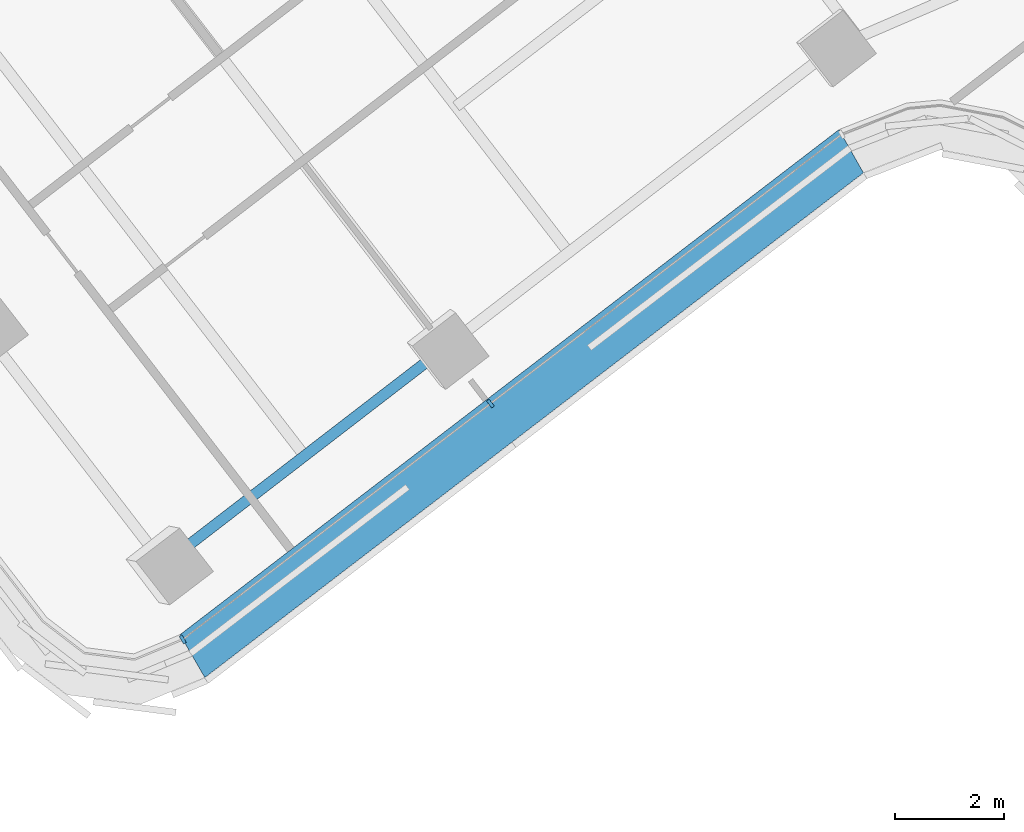
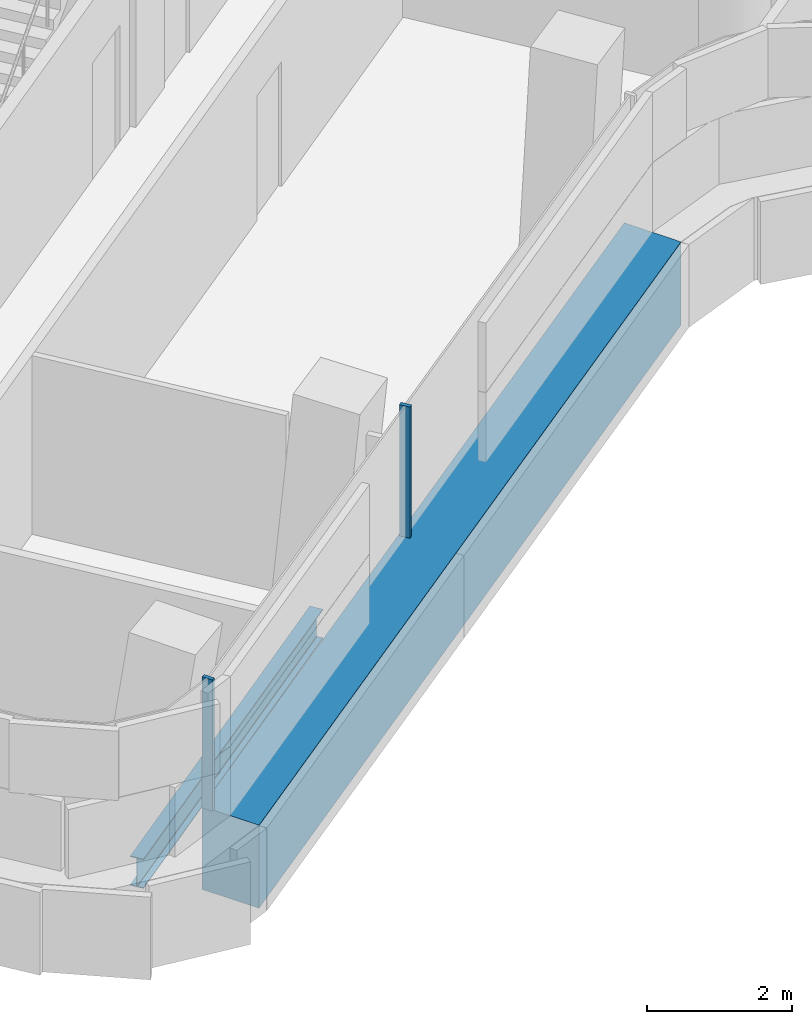
# One storey, part 2 of 33: 3 members, 1 beam, 1 element without a shape of its own.
"""IFC4 building model written with IfcOpenShell, lengths in metres."""

from ifc_helpers import new_model, si_unit, direction, frame, origin, origin_2d, place, context, subcontext, project, spatial, polyline, rectangle, i_section, outline, extrude, material, layer, layer_set, material_profile, profile_set, type_object, element, aggregate, save


model = new_model("IFC4")

# Units and contexts
model_context = context("Model", 3, precision=1e-05, world=origin(), true_north=direction((0.0, 1.0)))
body_context = subcontext(model_context, "Body", "Model", "MODEL_VIEW")
ifc_project = project(units=[si_unit("LENGTHUNIT", "METRE"), si_unit("AREAUNIT", "SQUARE_METRE"), si_unit("VOLUMEUNIT", "CUBIC_METRE"), si_unit("PLANEANGLEUNIT", "RADIAN"), si_unit("MASSUNIT", "GRAM", prefix="KILO")], contexts=[model_context])

# Site, building, storey
site_placement = place(None, origin())
site = spatial("IfcSite", under=ifc_project, at=site_placement, CompositionType="ELEMENT")
building_placement = place(site_placement, origin())
building = spatial("IfcBuilding", under=site, at=building_placement, Name="Tamarind Cross Interchange Tower", CompositionType="ELEMENT")
storey_placement = place(building_placement, frame((0.0, 0.0, 170.5)))
storey = spatial("IfcBuildingStorey", under=building, at=storey_placement, Name="L42", CompositionType="ELEMENT", Elevation=170.5)

# Beam
ifc_material_1 = material(Name="Steel Q355B", Category="steel")
ifc_material_profile_1 = material_profile(ifc_material_1, i_section(OverallWidth=0.198974609375, OverallDepth=0.49609375, WebThickness=0.009033203125, FlangeThickness=0.013916015625, FilletRadius=0.012939453125, at=origin_2d()), Name="HN 496x199x9x14")
ifc_profile_set_1 = profile_set([ifc_material_profile_1], Name="Steel Q355B")
beam_type = type_object("IfcBeamType", Name="Composite beam HN 496x199x9x14 Q355B", PredefinedType="BEAM", material=ifc_profile_set_1)
beam_placement = place(storey_placement, frame((-37.499755859375, -18.885009765625, -0.387939453125), z_axis=(0.79216747005, 0.610303776324, 0.0), x_axis=(-0.610303776324, 0.79216747005, 0.0)))
element("IfcBeam", 1, at=beam_placement, inside=storey, type_object=beam_type, Name="Beam W-edgeep2", PredefinedType="BEAM", context=body_context, shape_type="SweptSolid", body=[
    extrude(i_section(OverallWidth=0.198974609375, OverallDepth=0.49609375, WebThickness=0.009033203125, FlangeThickness=0.013916015625, FilletRadius=0.012939453125, at=origin_2d()), origin(), (0.0, 0.0, 1.0), 6.504150390625),
])

# Curtain wall, members
ifc_material_2 = material(Name="Aluminium 6063-T6", Category="aluminium")
ifc_layer = layer(ifc_material_2, 0.159912109375)
ifc_layer_set = layer_set([ifc_layer], Name="Aluminium 6063-T6")
curtain_wall_type = type_object("IfcCurtainWallType", Name="Office curtain wall, 9.0 m bays", PredefinedType="NOTDEFINED", material=ifc_layer_set)
curtain_wall_placement = place(storey_placement, origin())
curtain_wall = element("IfcCurtainWall", 2, at=curtain_wall_placement, inside=storey, type_object=curtain_wall_type, Name="CWS-L42-09", PredefinedType="NOTDEFINED")
ifc_material_3 = material(Name="Aluminium and insulated spandrel panel", Category="aluminium")
member_type_1 = type_object("IfcMemberType", Name="Floor-edge blade transom", PredefinedType="USERDEFINED", material=ifc_material_3)
member_1_placement = place(storey_placement, origin())
member_1 = element("IfcMember", 3, at=member_1_placement, type_object=member_type_1, Name="CWT-L42-09", ObjectType="TRANSOM", PredefinedType="USERDEFINED", context=body_context, shape_type="SweptSolid", body=[
    extrude(outline(polyline([(-37.205078125, -20.173095703125), (-25.139892578125, -10.9267578125), (-24.69287109375, -11.718017578125), (-36.750732421875, -20.958740234375), (-37.205078125, -20.173095703125)])), origin(), (0.0, 0.0, 1.0), 1.39990234375),
])
ifc_material_profile_2 = material_profile(ifc_material_2, rectangle(XDim=0.06005859375, YDim=0.159912109375, at=origin_2d()), Name="Mullion CW1")
ifc_profile_set_2 = profile_set([ifc_material_profile_2], Name="Aluminium 6063-T6")
member_type_2 = type_object("IfcMemberType", Name="Mullion CW1", PredefinedType="MULLION", material=ifc_profile_set_2)
member_2_placement = place(storey_placement, frame((-37.154541015625, -20.26025390625, 1.39990234375), z_axis=(0.0, 0.0, 1.0), x_axis=(0.86568575921, 0.500587820767, 0.0)))
member_2 = element("IfcMember", 4, at=member_2_placement, type_object=member_type_2, Name="CWM-L42-09-00", PredefinedType="MULLION", context=body_context, shape_type="SweptSolid", body=[
    extrude(rectangle(XDim=0.06005859375, YDim=0.159912109375, at=origin_2d()), origin(), (0.0, 0.0, 1.0), 2.210205078125),
])
member_3_placement = place(storey_placement, frame((-31.52099609375, -15.94287109375, 1.39990234375), z_axis=(0.0, 0.0, 1.0), x_axis=(0.793725115769, 0.608276615198, 0.0)))
member_3 = element("IfcMember", 5, at=member_3_placement, type_object=member_type_2, Name="CWM-L42-09-01", PredefinedType="MULLION", context=body_context, shape_type="SweptSolid", body=[
    extrude(rectangle(XDim=0.06005859375, YDim=0.159912109375, at=origin_2d()), origin(), (0.0, 0.0, 1.0), 2.210205078125),
])
aggregate(curtain_wall, [member_2, member_3, member_1])

save(model, "model.ifc")
